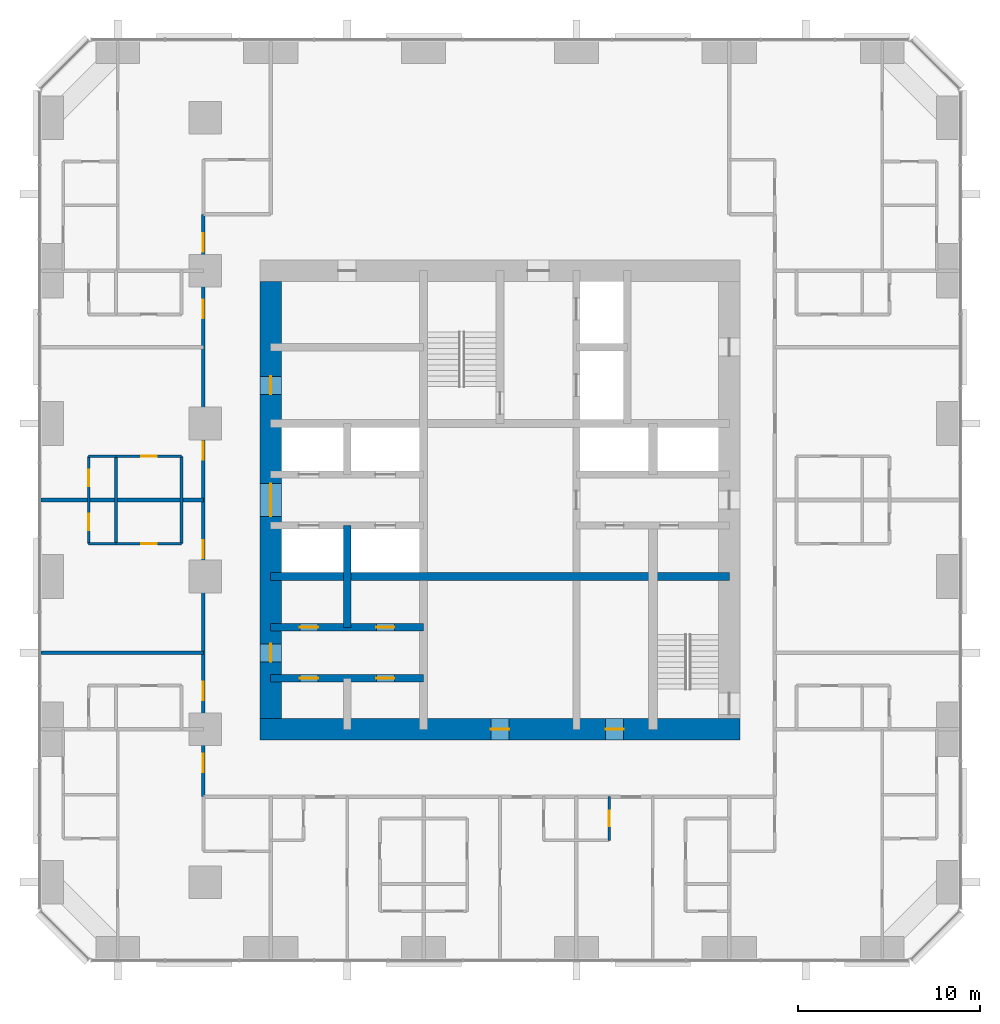
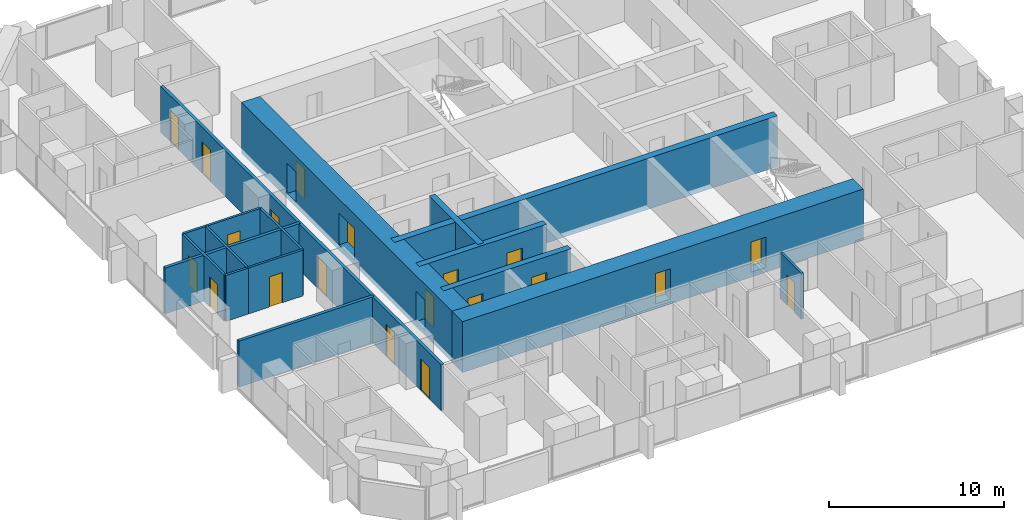
# One storey, part 9 of 13: 20 doors, 17 walls, 20 openings.
"""IFC4 building model written with IfcOpenShell, lengths in metres."""

from ifc_helpers import new_model, si_unit, direction, frame, frame_2d, origin, place, context, subcontext, project, spatial, rectangle, extrude, material, layer, layer_set, type_object, element, fill, save


model = new_model("IFC4")

# Units and contexts
model_context = context("Model", 3, precision=1e-05, world=origin(), true_north=direction((0.0, 1.0)))
body_context = subcontext(model_context, "Body", "Model", "MODEL_VIEW")
ifc_project = project(units=[si_unit("LENGTHUNIT", "METRE"), si_unit("AREAUNIT", "SQUARE_METRE"), si_unit("VOLUMEUNIT", "CUBIC_METRE"), si_unit("PLANEANGLEUNIT", "RADIAN"), si_unit("MASSUNIT", "GRAM", prefix="KILO")], contexts=[model_context])

# Site, building, storey
site_placement = place(None, origin())
site = spatial("IfcSite", under=ifc_project, at=site_placement, CompositionType="ELEMENT")
building_placement = place(site_placement, origin())
building = spatial("IfcBuilding", under=site, at=building_placement, Name="Dunama Terrace Hotel", CompositionType="ELEMENT")
storey_placement = place(building_placement, frame((0.0, 0.0, 216.60009765625)))
storey = spatial("IfcBuildingStorey", under=building, at=storey_placement, Name="L56", CompositionType="ELEMENT", Elevation=216.60009765625)

# Wall
ifc_material_1 = material(Name="Gypsum board partition", Category="masonry")
ifc_layer_1 = layer(ifc_material_1, 0.14990234375)
ifc_layer_set_1 = layer_set([ifc_layer_1], Name="Bathroom partition 150")
wall_type_1 = type_object("IfcWallType", Name="Bathroom partition 150", PredefinedType="PARTITIONING", material=ifc_layer_set_1)
wall_1_placement = place(storey_placement, frame((11.89990234375, 27.0, 0.0), z_axis=(0.0, 0.0, 1.0), x_axis=(0.0, 1.0, 0.0)))
element("IfcWall", 1, at=wall_1_placement, inside=storey, type_object=wall_type_1, Name="Bathroom partition 150 L56", PredefinedType="PARTITIONING", context=body_context, shape_type="SweptSolid", body=[
    extrude(rectangle(XDim=4.800048828125, YDim=0.14990234375, at=frame_2d((2.39990234375, 0.0))), origin(), (0.0, 0.0, 1.0), 3.199951171875),
])

# Wall, opening, door
wall_2_placement = place(storey_placement, frame((35.39990234375, 10.699951171875, 0.0), z_axis=(0.0, 0.0, 1.0), x_axis=(0.0, 1.0, 0.0)))
wall_2 = element("IfcWall", 2, at=wall_2_placement, inside=storey, type_object=wall_type_1, Name="Bathroom partition 150 L56", PredefinedType="PARTITIONING", context=body_context, shape_type="SweptSolid", body=[
    extrude(rectangle(XDim=2.400146484375, YDim=0.14990234375, at=frame_2d((1.2001953125, 0.0))), origin(), (0.0, 0.0, 1.0), 3.199951171875),
])
opening_1_placement = place(wall_2_placement, frame((0.77490234375, 0.0, 0.0)))
opening_1 = element("IfcOpeningElement", 3, at=opening_1_placement, cuts=wall_2, Name="Opening L56-020", PredefinedType="OPENING", context=body_context, shape_type="SweptSolid", body=[
    extrude(rectangle(XDim=0.85009765625, YDim=2.10009765625, at=frame_2d((0.425048828125, 1.050048828125))), frame((0.0, 0.0849609375, 0.0), z_axis=(0.0, -1.0, 0.0), x_axis=(1.0, 0.0, 0.0)), (0.0, 0.0, 1.0), 0.169921875),
])
ifc_material_2 = material(Name="Timber door with steel frame", Category="steel")
door_type_1 = type_object("IfcDoorType", Name="Bathroom door 850", OperationType="SINGLE_SWING_LEFT", PredefinedType="DOOR", material=ifc_material_2)
door_1_placement = place(opening_1_placement, origin())
door_1 = element("IfcDoor", 4, at=door_1_placement, inside=storey, type_object=door_type_1, Name="Door to powder room L56-020, type D2", OperationType="SINGLE_SWING_RIGHT", OverallHeight=2.10009765625, OverallWidth=0.85009765625, PredefinedType="DOOR", context=body_context, shape_type="SweptSolid", body=[
    extrude(rectangle(XDim=0.85009765625, YDim=2.10009765625, at=frame_2d((0.425048828125, 1.050048828125))), frame((0.0, 0.02490234375, 0.0), z_axis=(0.0, -1.0, 0.0), x_axis=(1.0, 0.0, 0.0)), (0.0, 0.0, 1.0), 0.050048828125),
])
fill(opening_1, door_1)

wall_3_placement = place(storey_placement, frame((8.300048828125, 27.0, 0.0), z_axis=(0.0, 0.0, 1.0), x_axis=(1.0, 0.0, 0.0)))
wall_3 = element("IfcWall", 5, at=wall_3_placement, inside=storey, type_object=wall_type_1, Name="Bathroom partition 150 L56", PredefinedType="PARTITIONING", context=body_context, shape_type="SweptSolid", body=[
    extrude(rectangle(XDim=3.599853515625, YDim=0.14990234375, at=frame_2d((1.7998046875, 0.0))), origin(), (0.0, 0.0, 1.0), 3.199951171875),
])
opening_2_placement = place(wall_3_placement, frame((1.375, 0.0, 0.0)))
opening_2 = element("IfcOpeningElement", 6, at=opening_2_placement, cuts=wall_3, Name="Opening L56-040", PredefinedType="OPENING", context=body_context, shape_type="SweptSolid", body=[
    extrude(rectangle(XDim=0.85009765625, YDim=2.10009765625, at=frame_2d((0.425048828125, 1.050048828125))), frame((0.0, 0.0849609375, 0.0), z_axis=(0.0, -1.0, 0.0), x_axis=(1.0, 0.0, 0.0)), (0.0, 0.0, 1.0), 0.169921875),
])
door_2_placement = place(opening_2_placement, origin())
door_2 = element("IfcDoor", 7, at=door_2_placement, inside=storey, type_object=door_type_1, Name="Door to en-suite bathroom L56-040, type D2", OperationType="SINGLE_SWING_LEFT", OverallHeight=2.10009765625, OverallWidth=0.85009765625, PredefinedType="DOOR", context=body_context, shape_type="SweptSolid", body=[
    extrude(rectangle(XDim=0.85009765625, YDim=2.10009765625, at=frame_2d((0.425048828125, 1.050048828125))), frame((0.0, 0.02490234375, 0.0), z_axis=(0.0, -1.0, 0.0), x_axis=(1.0, 0.0, 0.0)), (0.0, 0.0, 1.0), 0.050048828125),
])
fill(opening_2, door_2)

wall_4_placement = place(storey_placement, frame((8.300048828125, 31.800048828125, 0.0), z_axis=(0.0, 0.0, 1.0), x_axis=(1.0, 0.0, 0.0)))
wall_4 = element("IfcWall", 8, at=wall_4_placement, inside=storey, type_object=wall_type_1, Name="Bathroom partition 150 L56", PredefinedType="PARTITIONING", context=body_context, shape_type="SweptSolid", body=[
    extrude(rectangle(XDim=3.599853515625, YDim=0.14990234375, at=frame_2d((1.7998046875, 0.0))), origin(), (0.0, 0.0, 1.0), 3.199951171875),
])
opening_3_placement = place(wall_4_placement, frame((1.375, 0.0, 0.0)))
opening_3 = element("IfcOpeningElement", 9, at=opening_3_placement, cuts=wall_4, Name="Opening L56-043", PredefinedType="OPENING", context=body_context, shape_type="SweptSolid", body=[
    extrude(rectangle(XDim=0.85009765625, YDim=2.10009765625, at=frame_2d((0.425048828125, 1.050048828125))), frame((0.0, 0.0849609375, 0.0), z_axis=(0.0, -1.0, 0.0), x_axis=(1.0, 0.0, 0.0)), (0.0, 0.0, 1.0), 0.169921875),
])
door_3_placement = place(opening_3_placement, frame((0.85009765625, 0.0, 0.0), z_axis=(0.0, 0.0, 1.0), x_axis=(-1.0, 0.0, 0.0)))
door_3 = element("IfcDoor", 10, at=door_3_placement, inside=storey, type_object=door_type_1, Name="Door to en-suite bathroom L56-043, type D2", OperationType="SINGLE_SWING_RIGHT", OverallHeight=2.10009765625, OverallWidth=0.85009765625, PredefinedType="DOOR", context=body_context, shape_type="SweptSolid", body=[
    extrude(rectangle(XDim=0.85009765625, YDim=2.10009765625, at=frame_2d((0.425048828125, 1.050048828125))), frame((0.0, 0.025146484375, 0.0), z_axis=(0.0, -1.0, 0.0), x_axis=(1.0, 0.0, 0.0)), (0.0, 0.0, 1.0), 0.050048828125),
])
fill(opening_3, door_3)

# Wall
ifc_material_3 = material(Name="Concrete C50/60", Category="concrete")
ifc_layer_2 = layer(ifc_material_3, 0.39990234375)
ifc_layer_set_2 = layer_set([ifc_layer_2], Name="Core inner wall 400")
wall_type_2 = type_object("IfcWallType", Name="Core inner wall 400", PredefinedType="SHEAR", material=ifc_layer_set_2)
wall_5_placement = place(storey_placement, frame((21.0, 22.39990234375, -0.35009765625), z_axis=(0.0, 0.0, 1.0), x_axis=(0.0, 1.0, 0.0)))
element("IfcWall", 11, at=wall_5_placement, inside=storey, type_object=wall_type_2, Name="Core inner wall 400 L56", PredefinedType="SHEAR", context=body_context, shape_type="SweptSolid", body=[
    extrude(rectangle(XDim=5.60009765625, YDim=0.39990234375, at=frame_2d((2.800048828125, 0.0))), origin(), (0.0, 0.0, 1.0), 3.550048828125),
])

# Wall, openings, doors
wall_6_placement = place(storey_placement, frame((16.800048828125, 19.60009765625, -0.35009765625), z_axis=(0.0, 0.0, 1.0), x_axis=(1.0, 0.0, 0.0)))
wall_6 = element("IfcWall", 12, at=wall_6_placement, inside=storey, type_object=wall_type_2, Name="Core inner wall 400 L56", PredefinedType="SHEAR", context=body_context, shape_type="SweptSolid", body=[
    extrude(rectangle(XDim=8.39990234375, YDim=0.39990234375, at=frame_2d((4.199951171875, 0.0))), origin(), (0.0, 0.0, 1.0), 3.550048828125),
])
opening_4_placement = place(wall_6_placement, frame((1.60009765625, 0.0, 0.35009765625)))
opening_4 = element("IfcOpeningElement", 13, at=opening_4_placement, cuts=wall_6, Name="Opening L56-069", PredefinedType="OPENING", context=body_context, shape_type="SweptSolid", body=[
    extrude(rectangle(XDim=1.0, YDim=2.10009765625, at=frame_2d((0.5, 1.050048828125))), frame((0.0, 0.2099609375, 0.0), z_axis=(0.0, -1.0, 0.0), x_axis=(1.0, 0.0, 0.0)), (0.0, 0.0, 1.0), 0.419921875),
])
opening_5_placement = place(wall_6_placement, frame((5.800048828125, 0.0, 0.35009765625)))
opening_5 = element("IfcOpeningElement", 14, at=opening_5_placement, cuts=wall_6, Name="Opening L56-070", PredefinedType="OPENING", context=body_context, shape_type="SweptSolid", body=[
    extrude(rectangle(XDim=1.0, YDim=2.10009765625, at=frame_2d((0.5, 1.050048828125))), frame((0.0, 0.2099609375, 0.0), z_axis=(0.0, -1.0, 0.0), x_axis=(1.0, 0.0, 0.0)), (0.0, 0.0, 1.0), 0.419921875),
])
ifc_material_4 = material(Name="Timber door with steel frame", Category="steel")
door_type_2 = type_object("IfcDoorType", Name="Service door 1000", OperationType="SINGLE_SWING_LEFT", PredefinedType="DOOR", material=ifc_material_4)
door_4_placement = place(opening_4_placement, frame((1.0, 0.0, 0.0), z_axis=(0.0, 0.0, 1.0), x_axis=(-1.0, 0.0, 0.0)))
door_4 = element("IfcDoor", 15, at=door_4_placement, inside=storey, type_object=door_type_2, Name="Door to service riser L56-069, type D7", OperationType="SINGLE_SWING_RIGHT", OverallHeight=2.10009765625, OverallWidth=1.0, PredefinedType="DOOR", context=body_context, shape_type="SweptSolid", body=[
    extrude(rectangle(XDim=1.0, YDim=2.10009765625, at=frame_2d((0.5, 1.050048828125))), frame((0.0, 0.025146484375, 0.0), z_axis=(0.0, -1.0, 0.0), x_axis=(1.0, 0.0, 0.0)), (0.0, 0.0, 1.0), 0.050048828125),
])
fill(opening_4, door_4)
door_5_placement = place(opening_5_placement, frame((1.0, 0.0, 0.0), z_axis=(0.0, 0.0, 1.0), x_axis=(-1.0, 0.0, 0.0)))
door_5 = element("IfcDoor", 16, at=door_5_placement, inside=storey, type_object=door_type_2, Name="Door to staff accessible wc L56-070, type D7", OperationType="SINGLE_SWING_RIGHT", OverallHeight=2.10009765625, OverallWidth=1.0, PredefinedType="DOOR", context=body_context, shape_type="SweptSolid", body=[
    extrude(rectangle(XDim=1.0, YDim=2.10009765625, at=frame_2d((0.5, 1.050048828125))), frame((0.0, 0.025146484375, 0.0), z_axis=(0.0, -1.0, 0.0), x_axis=(1.0, 0.0, 0.0)), (0.0, 0.0, 1.0), 0.050048828125),
])
fill(opening_5, door_5)

wall_7_placement = place(storey_placement, frame((16.800048828125, 22.39990234375, -0.35009765625), z_axis=(0.0, 0.0, 1.0), x_axis=(1.0, 0.0, 0.0)))
wall_7 = element("IfcWall", 17, at=wall_7_placement, inside=storey, type_object=wall_type_2, Name="Core inner wall 400 L56", PredefinedType="SHEAR", context=body_context, shape_type="SweptSolid", body=[
    extrude(rectangle(XDim=8.39990234375, YDim=0.39990234375, at=frame_2d((4.199951171875, 0.0))), origin(), (0.0, 0.0, 1.0), 3.550048828125),
])
opening_6_placement = place(wall_7_placement, frame((1.60009765625, 0.0, 0.35009765625)))
opening_6 = element("IfcOpeningElement", 18, at=opening_6_placement, cuts=wall_7, Name="Opening L56-071", PredefinedType="OPENING", context=body_context, shape_type="SweptSolid", body=[
    extrude(rectangle(XDim=1.0, YDim=2.10009765625, at=frame_2d((0.5, 1.050048828125))), frame((0.0, 0.2099609375, 0.0), z_axis=(0.0, -1.0, 0.0), x_axis=(1.0, 0.0, 0.0)), (0.0, 0.0, 1.0), 0.419921875),
])
opening_7_placement = place(wall_7_placement, frame((5.800048828125, 0.0, 0.35009765625)))
opening_7 = element("IfcOpeningElement", 19, at=opening_7_placement, cuts=wall_7, Name="Opening L56-072", PredefinedType="OPENING", context=body_context, shape_type="SweptSolid", body=[
    extrude(rectangle(XDim=1.0, YDim=2.10009765625, at=frame_2d((0.5, 1.050048828125))), frame((0.0, 0.2099609375, 0.0), z_axis=(0.0, -1.0, 0.0), x_axis=(1.0, 0.0, 0.0)), (0.0, 0.0, 1.0), 0.419921875),
])
door_6_placement = place(opening_6_placement, origin())
door_6 = element("IfcDoor", 20, at=door_6_placement, inside=storey, type_object=door_type_2, Name="Door to staff break room L56-071, type D7", OperationType="SINGLE_SWING_LEFT", OverallHeight=2.10009765625, OverallWidth=1.0, PredefinedType="DOOR", context=body_context, shape_type="SweptSolid", body=[
    extrude(rectangle(XDim=1.0, YDim=2.10009765625, at=frame_2d((0.5, 1.050048828125))), frame((0.0, 0.02490234375, 0.0), z_axis=(0.0, -1.0, 0.0), x_axis=(1.0, 0.0, 0.0)), (0.0, 0.0, 1.0), 0.050048828125),
])
fill(opening_6, door_6)
door_7_placement = place(opening_7_placement, origin())
door_7 = element("IfcDoor", 21, at=door_7_placement, inside=storey, type_object=door_type_2, Name="Door to it room L56-072, type D7", OperationType="SINGLE_SWING_RIGHT", OverallHeight=2.10009765625, OverallWidth=1.0, PredefinedType="DOOR", context=body_context, shape_type="SweptSolid", body=[
    extrude(rectangle(XDim=1.0, YDim=2.10009765625, at=frame_2d((0.5, 1.050048828125))), frame((0.0, 0.02490234375, 0.0), z_axis=(0.0, -1.0, 0.0), x_axis=(1.0, 0.0, 0.0)), (0.0, 0.0, 1.0), 0.050048828125),
])
fill(opening_7, door_7)

# Wall
ifc_material_5 = material(Name="Concrete C50/60", Category="concrete")
ifc_layer_3 = layer(ifc_material_5, 0.449951171875)
ifc_layer_set_3 = layer_set([ifc_layer_3], Name="Core inner wall 450")
wall_type_3 = type_object("IfcWallType", Name="Core inner wall 450", PredefinedType="SHEAR", material=ifc_layer_set_3)
wall_8_placement = place(storey_placement, frame((16.800048828125, 25.199951171875, -0.35009765625), z_axis=(0.0, 0.0, 1.0), x_axis=(1.0, 0.0, 0.0)))
element("IfcWall", 22, at=wall_8_placement, inside=storey, type_object=wall_type_3, Name="Core inner wall 450 L56", PredefinedType="SHEAR", context=body_context, shape_type="SweptSolid", body=[
    extrude(rectangle(XDim=25.199951171875, YDim=0.449951171875, at=frame_2d((12.60009765625, 0.0))), origin(), (0.0, 0.0, 1.0), 3.550048828125),
])

# Wall, openings, doors
ifc_material_6 = material(Name="Concrete C60/75", Category="concrete")
ifc_layer_4 = layer(ifc_material_6, 1.199951171875)
ifc_layer_set_4 = layer_set([ifc_layer_4], Name="Core wall 1200")
wall_type_4 = type_object("IfcWallType", Name="Core wall 1200", PredefinedType="SHEAR", material=ifc_layer_set_4)
wall_9_placement = place(storey_placement, frame((16.199951171875, 16.800048828125, -0.35009765625), z_axis=(0.0, 0.0, 1.0), x_axis=(1.0, 0.0, 0.0)))
wall_9 = element("IfcWall", 23, at=wall_9_placement, inside=storey, type_object=wall_type_4, Name="Core wall south L56", PredefinedType="SHEAR", context=body_context, shape_type="SweptSolid", body=[
    extrude(rectangle(XDim=26.400146484375, YDim=1.199951171875, at=frame_2d((13.2001953125, 0.0))), origin(), (0.0, 0.0, 1.0), 3.550048828125),
])
opening_8_placement = place(wall_9_placement, frame((12.699951171875, 0.0, 0.35009765625)))
opening_8 = element("IfcOpeningElement", 24, at=opening_8_placement, cuts=wall_9, Name="Opening L56-082", PredefinedType="OPENING", context=body_context, shape_type="SweptSolid", body=[
    extrude(rectangle(XDim=1.0, YDim=2.10009765625, at=frame_2d((0.5, 1.050048828125))), frame((0.0, 0.60986328125, 0.0), z_axis=(0.0, -1.0, 0.0), x_axis=(1.0, 0.0, 0.0)), (0.0, 0.0, 1.0), 1.219970703125),
])
opening_9_placement = place(wall_9_placement, frame((19.0, 0.0, 0.35009765625)))
opening_9 = element("IfcOpeningElement", 25, at=opening_9_placement, cuts=wall_9, Name="Opening L56-083", PredefinedType="OPENING", context=body_context, shape_type="SweptSolid", body=[
    extrude(rectangle(XDim=1.0, YDim=2.10009765625, at=frame_2d((0.5, 1.050048828125))), frame((0.0, 0.60986328125, 0.0), z_axis=(0.0, -1.0, 0.0), x_axis=(1.0, 0.0, 0.0)), (0.0, 0.0, 1.0), 1.219970703125),
])
door_8_placement = place(opening_8_placement, origin())
door_8 = element("IfcDoor", 26, at=door_8_placement, inside=storey, type_object=door_type_2, Name="Door to corridor air handling room L56-082, type D7", OperationType="SINGLE_SWING_LEFT", OverallHeight=2.10009765625, OverallWidth=1.0, PredefinedType="DOOR", context=body_context, shape_type="SweptSolid", body=[
    extrude(rectangle(XDim=1.0, YDim=2.10009765625, at=frame_2d((0.5, 1.050048828125))), frame((0.0, 0.02490234375, 0.0), z_axis=(0.0, -1.0, 0.0), x_axis=(1.0, 0.0, 0.0)), (0.0, 0.0, 1.0), 0.050048828125),
])
fill(opening_8, door_8)
door_9_placement = place(opening_9_placement, origin())
door_9 = element("IfcDoor", 27, at=door_9_placement, inside=storey, type_object=door_type_2, Name="Door to water riser room L56-083, type D7", OperationType="SINGLE_SWING_RIGHT", OverallHeight=2.10009765625, OverallWidth=1.0, PredefinedType="DOOR", context=body_context, shape_type="SweptSolid", body=[
    extrude(rectangle(XDim=1.0, YDim=2.10009765625, at=frame_2d((0.5, 1.050048828125))), frame((0.0, 0.02490234375, 0.0), z_axis=(0.0, -1.0, 0.0), x_axis=(1.0, 0.0, 0.0)), (0.0, 0.0, 1.0), 0.050048828125),
])
fill(opening_9, door_9)

wall_10_placement = place(storey_placement, frame((16.800048828125, 41.39990234375, -0.35009765625), z_axis=(0.0, 0.0, 1.0), x_axis=(0.0, -1.0, 0.0)))
wall_10 = element("IfcWall", 28, at=wall_10_placement, inside=storey, type_object=wall_type_4, Name="Core wall west L56", PredefinedType="SHEAR", context=body_context, shape_type="SweptSolid", body=[
    extrude(rectangle(XDim=24.0, YDim=1.199951171875, at=frame_2d((12.0, 0.0))), origin(), (0.0, 0.0, 1.0), 3.550048828125),
])
opening_10_placement = place(wall_10_placement, frame((11.10009765625, 0.0, 0.35009765625)))
opening_10 = element("IfcOpeningElement", 29, at=opening_10_placement, cuts=wall_10, Name="Opening L56-068", PredefinedType="OPENING", context=body_context, shape_type="SweptSolid", body=[
    extrude(rectangle(XDim=1.800048828125, YDim=2.199951171875, at=frame_2d((0.89990234375, 1.10009765625))), frame((0.0, 0.60986328125, 0.0), z_axis=(0.0, -1.0, 0.0), x_axis=(1.0, 0.0, 0.0)), (0.0, 0.0, 1.0), 1.219970703125),
])
opening_11_placement = place(wall_10_placement, frame((19.89990234375, 0.0, 0.35009765625)))
opening_11 = element("IfcOpeningElement", 30, at=opening_11_placement, cuts=wall_10, Name="Opening L56-073", PredefinedType="OPENING", context=body_context, shape_type="SweptSolid", body=[
    extrude(rectangle(XDim=1.0, YDim=2.10009765625, at=frame_2d((0.5, 1.050048828125))), frame((0.0, 0.60986328125, 0.0), z_axis=(0.0, -1.0, 0.0), x_axis=(1.0, 0.0, 0.0)), (0.0, 0.0, 1.0), 1.219970703125),
])
opening_12_placement = place(wall_10_placement, frame((5.199951171875, 0.0, 0.35009765625)))
opening_12 = element("IfcOpeningElement", 31, at=opening_12_placement, cuts=wall_10, Name="Opening L56-074", PredefinedType="OPENING", context=body_context, shape_type="SweptSolid", body=[
    extrude(rectangle(XDim=1.0, YDim=2.10009765625, at=frame_2d((0.5, 1.050048828125))), frame((0.0, 0.60986328125, 0.0), z_axis=(0.0, -1.0, 0.0), x_axis=(1.0, 0.0, 0.0)), (0.0, 0.0, 1.0), 1.219970703125),
])
ifc_material_7 = material(Name="Timber door with steel frame", Category="steel")
door_type_3 = type_object("IfcDoorType", Name="Lift lobby double door 1800", OperationType="DOUBLE_DOOR_DOUBLE_SWING", PredefinedType="DOOR", material=ifc_material_7)
door_10_placement = place(opening_10_placement, origin())
door_10 = element("IfcDoor", 32, at=door_10_placement, inside=storey, type_object=door_type_3, Name="Door to lift lobby L56-068, type D3", OperationType="DOUBLE_DOOR_DOUBLE_SWING", OverallHeight=2.199951171875, OverallWidth=1.800048828125, PredefinedType="DOOR", context=body_context, shape_type="SweptSolid", body=[
    extrude(rectangle(XDim=1.800048828125, YDim=2.199951171875, at=frame_2d((0.89990234375, 1.10009765625))), frame((0.0, 0.02490234375, 0.0), z_axis=(0.0, -1.0, 0.0), x_axis=(1.0, 0.0, 0.0)), (0.0, 0.0, 1.0), 0.050048828125),
])
fill(opening_10, door_10)
door_11_placement = place(opening_11_placement, origin())
door_11 = element("IfcDoor", 33, at=door_11_placement, inside=storey, type_object=door_type_2, Name="Door to back-of-house lobby L56-073, type D7", OperationType="SINGLE_SWING_LEFT", OverallHeight=2.10009765625, OverallWidth=1.0, PredefinedType="DOOR", context=body_context, shape_type="SweptSolid", body=[
    extrude(rectangle(XDim=1.0, YDim=2.10009765625, at=frame_2d((0.5, 1.050048828125))), frame((0.0, 0.02490234375, 0.0), z_axis=(0.0, -1.0, 0.0), x_axis=(1.0, 0.0, 0.0)), (0.0, 0.0, 1.0), 0.050048828125),
])
fill(opening_11, door_11)
door_12_placement = place(opening_12_placement, origin())
door_12 = element("IfcDoor", 34, at=door_12_placement, inside=storey, type_object=door_type_2, Name="Door to electrical room L56-074, type D7", OperationType="SINGLE_SWING_RIGHT", OverallHeight=2.10009765625, OverallWidth=1.0, PredefinedType="DOOR", context=body_context, shape_type="SweptSolid", body=[
    extrude(rectangle(XDim=1.0, YDim=2.10009765625, at=frame_2d((0.5, 1.050048828125))), frame((0.0, 0.02490234375, 0.0), z_axis=(0.0, -1.0, 0.0), x_axis=(1.0, 0.0, 0.0)), (0.0, 0.0, 1.0), 0.050048828125),
])
fill(opening_12, door_12)

ifc_material_8 = material(Name="Concrete blockwork", Category="masonry")
ifc_layer_5 = layer(ifc_material_8, 0.199951171875)
ifc_layer_set_5 = layer_set([ifc_layer_5], Name="Corridor partition 200")
wall_type_5 = type_object("IfcWallType", Name="Corridor partition 200", PredefinedType="PARTITIONING", material=ifc_layer_set_5)
wall_11_placement = place(storey_placement, frame((13.10009765625, 13.10009765625, 0.0), z_axis=(0.0, 0.0, 1.0), x_axis=(0.0, 1.0, 0.0)))
wall_11 = element("IfcWall", 35, at=wall_11_placement, inside=storey, type_object=wall_type_5, Name="Corridor partition 200 L56", PredefinedType="PARTITIONING", context=body_context, shape_type="SweptSolid", body=[
    extrude(rectangle(XDim=32.0, YDim=0.199951171875, at=frame_2d((16.0, 0.0))), origin(), (0.0, 0.0, 1.0), 3.199951171875),
])
opening_13_placement = place(wall_11_placement, frame((5.300048828125, 0.0, 0.0)))
opening_13 = element("IfcOpeningElement", 36, at=opening_13_placement, cuts=wall_11, Name="Opening L56-036", PredefinedType="OPENING", context=body_context, shape_type="SweptSolid", body=[
    extrude(rectangle(XDim=1.0, YDim=2.199951171875, at=frame_2d((0.5, 1.10009765625))), frame((0.0, 0.10986328125, 0.0), z_axis=(0.0, -1.0, 0.0), x_axis=(1.0, 0.0, 0.0)), (0.0, 0.0, 1.0), 0.219970703125),
])
opening_14_placement = place(wall_11_placement, frame((13.10009765625, 0.0, 0.0)))
opening_14 = element("IfcOpeningElement", 37, at=opening_14_placement, cuts=wall_11, Name="Opening L56-039", PredefinedType="OPENING", context=body_context, shape_type="SweptSolid", body=[
    extrude(rectangle(XDim=1.0, YDim=2.199951171875, at=frame_2d((0.5, 1.10009765625))), frame((0.0, 0.10986328125, 0.0), z_axis=(0.0, -1.0, 0.0), x_axis=(1.0, 0.0, 0.0)), (0.0, 0.0, 1.0), 0.219970703125),
])
opening_15_placement = place(wall_11_placement, frame((18.5, 0.0, 0.0)))
opening_15 = element("IfcOpeningElement", 38, at=opening_15_placement, cuts=wall_11, Name="Opening L56-042", PredefinedType="OPENING", context=body_context, shape_type="SweptSolid", body=[
    extrude(rectangle(XDim=1.0, YDim=2.199951171875, at=frame_2d((0.5, 1.10009765625))), frame((0.0, 0.10986328125, 0.0), z_axis=(0.0, -1.0, 0.0), x_axis=(1.0, 0.0, 0.0)), (0.0, 0.0, 1.0), 0.219970703125),
])
opening_16_placement = place(wall_11_placement, frame((26.300048828125, 0.0, 0.0)))
opening_16 = element("IfcOpeningElement", 39, at=opening_16_placement, cuts=wall_11, Name="Opening L56-045", PredefinedType="OPENING", context=body_context, shape_type="SweptSolid", body=[
    extrude(rectangle(XDim=1.0, YDim=2.199951171875, at=frame_2d((0.5, 1.10009765625))), frame((0.0, 0.10986328125, 0.0), z_axis=(0.0, -1.0, 0.0), x_axis=(1.0, 0.0, 0.0)), (0.0, 0.0, 1.0), 0.219970703125),
])
opening_17_placement = place(wall_11_placement, frame((1.35009765625, 0.0, 0.0)))
opening_17 = element("IfcOpeningElement", 40, at=opening_17_placement, cuts=wall_11, Name="Opening L56-048", PredefinedType="OPENING", context=body_context, shape_type="SweptSolid", body=[
    extrude(rectangle(XDim=1.0, YDim=2.199951171875, at=frame_2d((0.5, 1.10009765625))), frame((0.0, 0.10986328125, 0.0), z_axis=(0.0, -1.0, 0.0), x_axis=(1.0, 0.0, 0.0)), (0.0, 0.0, 1.0), 0.219970703125),
])
opening_18_placement = place(wall_11_placement, frame((29.949951171875, 0.0, 0.0)))
opening_18 = element("IfcOpeningElement", 41, at=opening_18_placement, cuts=wall_11, Name="Opening L56-063", PredefinedType="OPENING", context=body_context, shape_type="SweptSolid", body=[
    extrude(rectangle(XDim=1.0, YDim=2.199951171875, at=frame_2d((0.5, 1.10009765625))), frame((0.0, 0.10986328125, 0.0), z_axis=(0.0, -1.0, 0.0), x_axis=(1.0, 0.0, 0.0)), (0.0, 0.0, 1.0), 0.219970703125),
])
ifc_material_9 = material(Name="Timber door with steel frame", Category="steel")
door_type_4 = type_object("IfcDoorType", Name="Guest room door 1000", OperationType="SINGLE_SWING_LEFT", PredefinedType="DOOR", material=ifc_material_9)
door_13_placement = place(opening_13_placement, origin())
door_13 = element("IfcDoor", 42, at=door_13_placement, inside=storey, type_object=door_type_4, Name="Door to club room L56-036, type D1", OperationType="SINGLE_SWING_LEFT", OverallHeight=2.199951171875, OverallWidth=1.0, PredefinedType="DOOR", context=body_context, shape_type="SweptSolid", body=[
    extrude(rectangle(XDim=1.0, YDim=2.199951171875, at=frame_2d((0.5, 1.10009765625))), frame((0.0, 0.02490234375, 0.0), z_axis=(0.0, -1.0, 0.0), x_axis=(1.0, 0.0, 0.0)), (0.0, 0.0, 1.0), 0.050048828125),
])
fill(opening_13, door_13)
door_14_placement = place(opening_14_placement, origin())
door_14 = element("IfcDoor", 43, at=door_14_placement, inside=storey, type_object=door_type_4, Name="Door to junior suite L56-039, type D1", OperationType="SINGLE_SWING_LEFT", OverallHeight=2.199951171875, OverallWidth=1.0, PredefinedType="DOOR", context=body_context, shape_type="SweptSolid", body=[
    extrude(rectangle(XDim=1.0, YDim=2.199951171875, at=frame_2d((0.5, 1.10009765625))), frame((0.0, 0.02490234375, 0.0), z_axis=(0.0, -1.0, 0.0), x_axis=(1.0, 0.0, 0.0)), (0.0, 0.0, 1.0), 0.050048828125),
])
fill(opening_14, door_14)
door_15_placement = place(opening_15_placement, origin())
door_15 = element("IfcDoor", 44, at=door_15_placement, inside=storey, type_object=door_type_4, Name="Door to junior suite L56-042, type D1", OperationType="SINGLE_SWING_RIGHT", OverallHeight=2.199951171875, OverallWidth=1.0, PredefinedType="DOOR", context=body_context, shape_type="SweptSolid", body=[
    extrude(rectangle(XDim=1.0, YDim=2.199951171875, at=frame_2d((0.5, 1.10009765625))), frame((0.0, 0.02490234375, 0.0), z_axis=(0.0, -1.0, 0.0), x_axis=(1.0, 0.0, 0.0)), (0.0, 0.0, 1.0), 0.050048828125),
])
fill(opening_15, door_15)
door_16_placement = place(opening_16_placement, origin())
door_16 = element("IfcDoor", 45, at=door_16_placement, inside=storey, type_object=door_type_4, Name="Door to club room L56-045, type D1", OperationType="SINGLE_SWING_RIGHT", OverallHeight=2.199951171875, OverallWidth=1.0, PredefinedType="DOOR", context=body_context, shape_type="SweptSolid", body=[
    extrude(rectangle(XDim=1.0, YDim=2.199951171875, at=frame_2d((0.5, 1.10009765625))), frame((0.0, 0.02490234375, 0.0), z_axis=(0.0, -1.0, 0.0), x_axis=(1.0, 0.0, 0.0)), (0.0, 0.0, 1.0), 0.050048828125),
])
fill(opening_16, door_16)
door_17_placement = place(opening_17_placement, origin())
door_17 = element("IfcDoor", 46, at=door_17_placement, inside=storey, type_object=door_type_4, Name="Door to corner suite living room L56-048, type D1", OperationType="SINGLE_SWING_RIGHT", OverallHeight=2.199951171875, OverallWidth=1.0, PredefinedType="DOOR", context=body_context, shape_type="SweptSolid", body=[
    extrude(rectangle(XDim=1.0, YDim=2.199951171875, at=frame_2d((0.5, 1.10009765625))), frame((0.0, 0.02490234375, 0.0), z_axis=(0.0, -1.0, 0.0), x_axis=(1.0, 0.0, 0.0)), (0.0, 0.0, 1.0), 0.050048828125),
])
fill(opening_17, door_17)
door_18_placement = place(opening_18_placement, origin())
door_18 = element("IfcDoor", 47, at=door_18_placement, inside=storey, type_object=door_type_4, Name="Door to corner suite living room L56-063, type D1", OperationType="SINGLE_SWING_LEFT", OverallHeight=2.199951171875, OverallWidth=1.0, PredefinedType="DOOR", context=body_context, shape_type="SweptSolid", body=[
    extrude(rectangle(XDim=1.0, YDim=2.199951171875, at=frame_2d((0.5, 1.10009765625))), frame((0.0, 0.02490234375, 0.0), z_axis=(0.0, -1.0, 0.0), x_axis=(1.0, 0.0, 0.0)), (0.0, 0.0, 1.0), 0.050048828125),
])
fill(opening_18, door_18)

# Walls
ifc_material_10 = material(Name="Concrete blockwork", Category="masonry")
ifc_layer_6 = layer(ifc_material_10, 0.199951171875)
ifc_layer_set_6 = layer_set([ifc_layer_6], Name="Party wall 200")
wall_type_6 = type_object("IfcWallType", Name="Party wall 200", PredefinedType="PARTITIONING", material=ifc_layer_set_6)
for number, where, z_axis, x_axis, name in (
    (48, (4.181884765625, 21.0, 0.0), (0.0, 0.0, 1.0), (1.0, 0.0, 0.0), "Party wall 200 L56"),
    (49, (4.181884765625, 29.39990234375, 0.0), (0.0, 0.0, 1.0), (1.0, 0.0, 0.0), "Party wall 200 L56"),
):
    element("IfcWall", number, at=place(storey_placement, frame(where, z_axis=z_axis, x_axis=x_axis)), inside=storey, type_object=wall_type_6, Name=name, PredefinedType="PARTITIONING", context=body_context, shape_type="SweptSolid", body=[
        extrude(rectangle(XDim=8.918212890625, YDim=0.199951171875, at=frame_2d((4.458984375, 0.0))), origin(), (0.0, 0.0, 1.0), 3.199951171875),
    ])

# Wall, openings, doors
ifc_material_11 = material(Name="Gypsum board partition", Category="masonry")
ifc_layer_7 = layer(ifc_material_11, 0.14990234375)
ifc_layer_set_7 = layer_set([ifc_layer_7], Name="Room partition 150")
wall_type_7 = type_object("IfcWallType", Name="Room partition 150", PredefinedType="PARTITIONING", material=ifc_layer_set_7)
wall_12_placement = place(storey_placement, frame((6.800048828125, 27.0, 0.0), z_axis=(0.0, 0.0, 1.0), x_axis=(0.0, 1.0, 0.0)))
wall_12 = element("IfcWall", 50, at=wall_12_placement, inside=storey, type_object=wall_type_7, Name="Room partition 150 L56", PredefinedType="PARTITIONING", context=body_context, shape_type="SweptSolid", body=[
    extrude(rectangle(XDim=4.800048828125, YDim=0.14990234375, at=frame_2d((2.39990234375, 0.0))), origin(), (0.0, 0.0, 1.0), 3.199951171875),
])
opening_19_placement = place(wall_12_placement, frame((0.75, 0.0, 0.0)))
opening_19 = element("IfcOpeningElement", 51, at=opening_19_placement, cuts=wall_12, Name="Opening L56-041", PredefinedType="OPENING", context=body_context, shape_type="SweptSolid", body=[
    extrude(rectangle(XDim=0.89990234375, YDim=2.10009765625, at=frame_2d((0.449951171875, 1.050048828125))), frame((0.0, 0.0849609375, 0.0), z_axis=(0.0, -1.0, 0.0), x_axis=(1.0, 0.0, 0.0)), (0.0, 0.0, 1.0), 0.169921875),
])
opening_20_placement = place(wall_12_placement, frame((3.14990234375, 0.0, 0.0)))
opening_20 = element("IfcOpeningElement", 52, at=opening_20_placement, cuts=wall_12, Name="Opening L56-044", PredefinedType="OPENING", context=body_context, shape_type="SweptSolid", body=[
    extrude(rectangle(XDim=0.89990234375, YDim=2.10009765625, at=frame_2d((0.449951171875, 1.050048828125))), frame((0.0, 0.0849609375, 0.0), z_axis=(0.0, -1.0, 0.0), x_axis=(1.0, 0.0, 0.0)), (0.0, 0.0, 1.0), 0.169921875),
])
ifc_material_12 = material(Name="Timber door with steel frame", Category="steel")
door_type_5 = type_object("IfcDoorType", Name="Suite internal door 900", OperationType="SINGLE_SWING_LEFT", PredefinedType="DOOR", material=ifc_material_12)
door_19_placement = place(opening_19_placement, frame((0.89990234375, 0.0, 0.0), z_axis=(0.0, 0.0, 1.0), x_axis=(-1.0, 0.0, 0.0)))
door_19 = element("IfcDoor", 53, at=door_19_placement, inside=storey, type_object=door_type_5, Name="Door to walk-in wardrobe L56-041, type D16", OperationType="SINGLE_SWING_RIGHT", OverallHeight=2.10009765625, OverallWidth=0.89990234375, PredefinedType="DOOR", context=body_context, shape_type="SweptSolid", body=[
    extrude(rectangle(XDim=0.89990234375, YDim=2.10009765625, at=frame_2d((0.449951171875, 1.050048828125))), frame((0.0, 0.025146484375, 0.0), z_axis=(0.0, -1.0, 0.0), x_axis=(1.0, 0.0, 0.0)), (0.0, 0.0, 1.0), 0.050048828125),
])
fill(opening_19, door_19)
door_20_placement = place(opening_20_placement, frame((0.89990234375, 0.0, 0.0), z_axis=(0.0, 0.0, 1.0), x_axis=(-1.0, 0.0, 0.0)))
door_20 = element("IfcDoor", 54, at=door_20_placement, inside=storey, type_object=door_type_5, Name="Door to walk-in wardrobe L56-044, type D16", OperationType="SINGLE_SWING_RIGHT", OverallHeight=2.10009765625, OverallWidth=0.89990234375, PredefinedType="DOOR", context=body_context, shape_type="SweptSolid", body=[
    extrude(rectangle(XDim=0.89990234375, YDim=2.10009765625, at=frame_2d((0.449951171875, 1.050048828125))), frame((0.0, 0.025146484375, 0.0), z_axis=(0.0, -1.0, 0.0), x_axis=(1.0, 0.0, 0.0)), (0.0, 0.0, 1.0), 0.050048828125),
])
fill(opening_20, door_20)

# Walls
wall_13_placement = place(storey_placement, frame((8.300048828125, 27.0, 0.0), z_axis=(0.0, 0.0, 1.0), x_axis=(0.0, 1.0, 0.0)))
element("IfcWall", 55, at=wall_13_placement, inside=storey, type_object=wall_type_7, Name="Room partition 150 L56", PredefinedType="PARTITIONING", context=body_context, shape_type="SweptSolid", body=[
    extrude(rectangle(XDim=4.800048828125, YDim=0.14990234375, at=frame_2d((2.39990234375, 0.0))), origin(), (0.0, 0.0, 1.0), 3.199951171875),
])
for number, where, z_axis, x_axis, name in (
    (56, (6.800048828125, 27.0, 0.0), (0.0, 0.0, 1.0), (1.0, 0.0, 0.0), "Room partition 150 L56"),
    (57, (6.800048828125, 31.800048828125, 0.0), (0.0, 0.0, 1.0), (1.0, 0.0, 0.0), "Room partition 150 L56"),
):
    element("IfcWall", number, at=place(storey_placement, frame(where, z_axis=z_axis, x_axis=x_axis)), inside=storey, type_object=wall_type_7, Name=name, PredefinedType="PARTITIONING", context=body_context, shape_type="SweptSolid", body=[
        extrude(rectangle(XDim=1.5, YDim=0.14990234375, at=frame_2d((0.75, 0.0))), origin(), (0.0, 0.0, 1.0), 3.199951171875),
    ])

save(model, "model.ifc")
